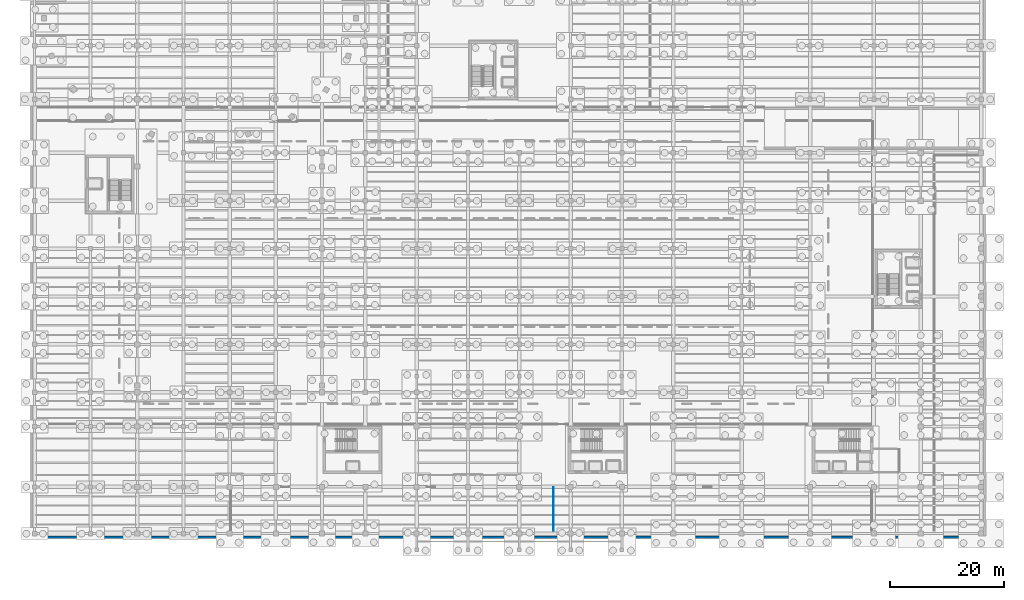
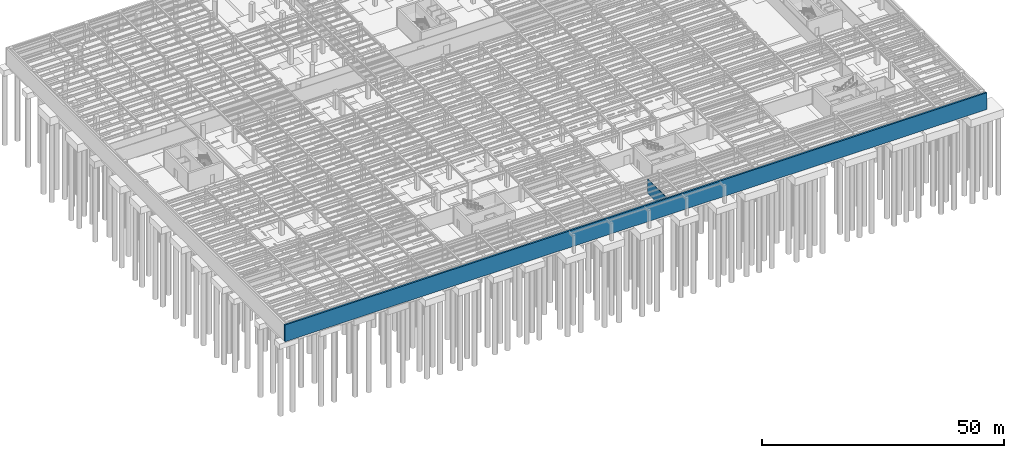
# One storey, part 33 of 49: 2 walls.
"""IFC4 building model written with IfcOpenShell, lengths in metres."""

from ifc_helpers import new_model, si_unit, direction, frame, frame_2d, origin, place, context, subcontext, project, spatial, rectangle, extrude, material, layer, layer_set, type_object, element, save


model = new_model("IFC4")

# Units and contexts
model_context = context("Model", 3, precision=1e-05, world=origin(), true_north=direction((0.0, 1.0)))
body_context = subcontext(model_context, "Body", "Model", "MODEL_VIEW")
ifc_project = project(units=[si_unit("LENGTHUNIT", "METRE"), si_unit("AREAUNIT", "SQUARE_METRE"), si_unit("VOLUMEUNIT", "CUBIC_METRE"), si_unit("PLANEANGLEUNIT", "RADIAN"), si_unit("MASSUNIT", "GRAM", prefix="KILO")], contexts=[model_context])

# Site, building, storey
site_placement = place(None, origin())
site = spatial("IfcSite", under=ifc_project, at=site_placement, CompositionType="ELEMENT")
building_placement = place(site_placement, origin())
building = spatial("IfcBuilding", under=site, at=building_placement, Name="Sollismere Congress Hotel", CompositionType="ELEMENT")
storey_placement = place(building_placement, frame((0.0, 0.0, -4.5)))
storey = spatial("IfcBuildingStorey", under=building, at=storey_placement, Name="B1", CompositionType="ELEMENT", Elevation=-4.5)

# Walls
ifc_material_1 = material(Name="Fire-Rated Acoustic Gypsum Partition")
ifc_layer_1 = layer(ifc_material_1, 0.1650390625, Name="Fire-Rated Acoustic Gypsum Partition")
ifc_layer_set_1 = layer_set([ifc_layer_1], Name="Fire-Rated Acoustic Gypsum Partition")
wall_type_1 = type_object("IfcWallType", Name="WL-PRT165R", PredefinedType="PARTITIONING", material=ifc_layer_set_1)
wall_1_placement = place(storey_placement, frame((91.0, 0.5, 0.0), z_axis=(0.0, 0.0, 1.0), x_axis=(0.0, 1.0, 0.0)))
element("IfcWall", 1, at=wall_1_placement, inside=storey, type_object=wall_type_1, Name="Interior wall IW-B1-0766", PredefinedType="PARTITIONING", context=body_context, shape_type="SweptSolid", body=[
    extrude(rectangle(XDim=7.60546875, YDim=0.1650390625, at=frame_2d((3.802734375, 0.0))), origin(), (0.0, 0.0, 1.0), 3.587890625),
])
ifc_material_2 = material(Name="Concrete C40/50", Category="concrete")
ifc_layer_2 = layer(ifc_material_2, 0.39990234375, Name="Concrete C40/50")
ifc_layer_set_2 = layer_set([ifc_layer_2], Name="Concrete C40/50")
wall_type_2 = type_object("IfcWallType", Name="WL-RET400", PredefinedType="USERDEFINED", material=ifc_layer_set_2)
wall_2_placement = place(storey_placement, frame((-0.85009765625, -0.64990234375, 0.0), z_axis=(0.0, 0.0, 1.0), x_axis=(1.0, 0.0, 0.0)))
element("IfcWall", 2, at=wall_2_placement, inside=storey, type_object=wall_type_2, Name="Exterior wall EW-B1-001", ObjectType="RETAINING WALL", PredefinedType="USERDEFINED", context=body_context, shape_type="SweptSolid", body=[
    extrude(rectangle(XDim=167.7001953125, YDim=0.39990234375, at=frame_2d((83.85009765625, 0.0))), origin(), (0.0, 0.0, 1.0), 4.235107421875),
])

save(model, "model.ifc")
